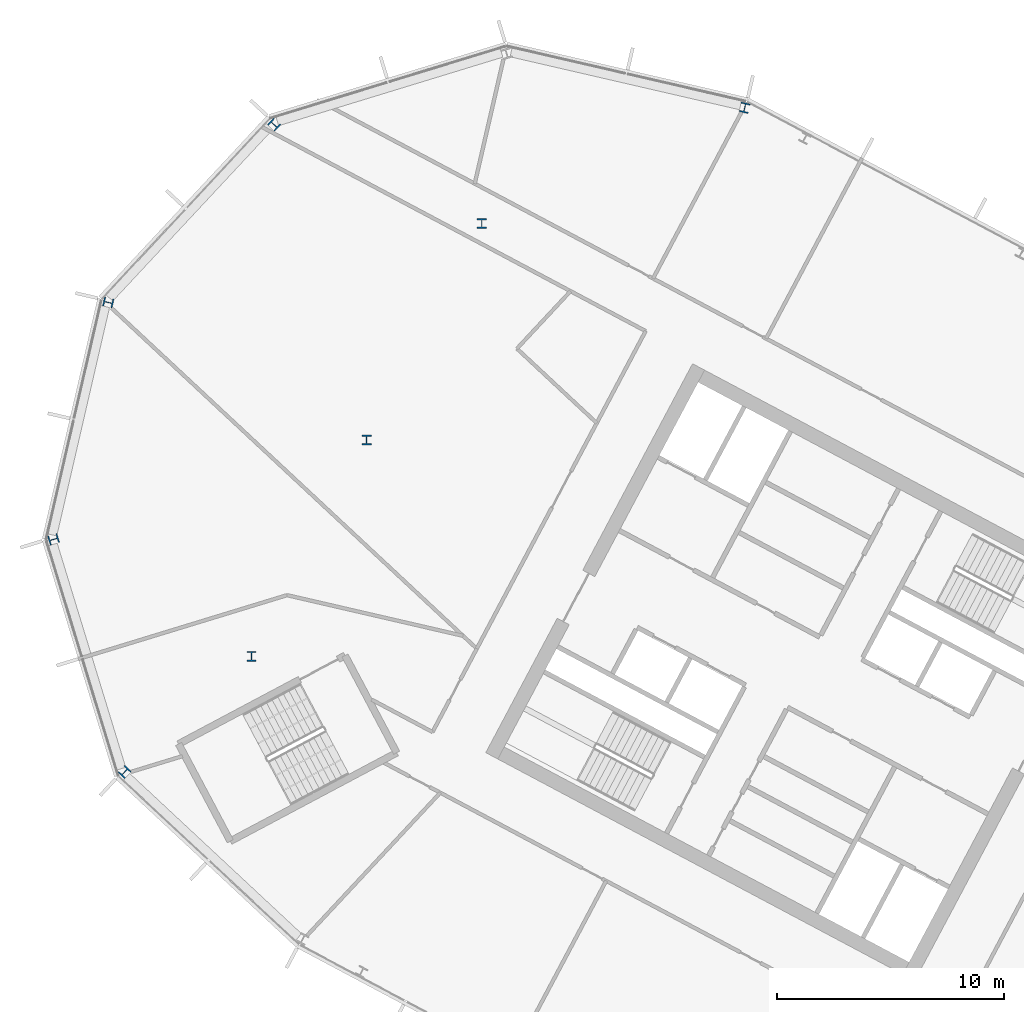
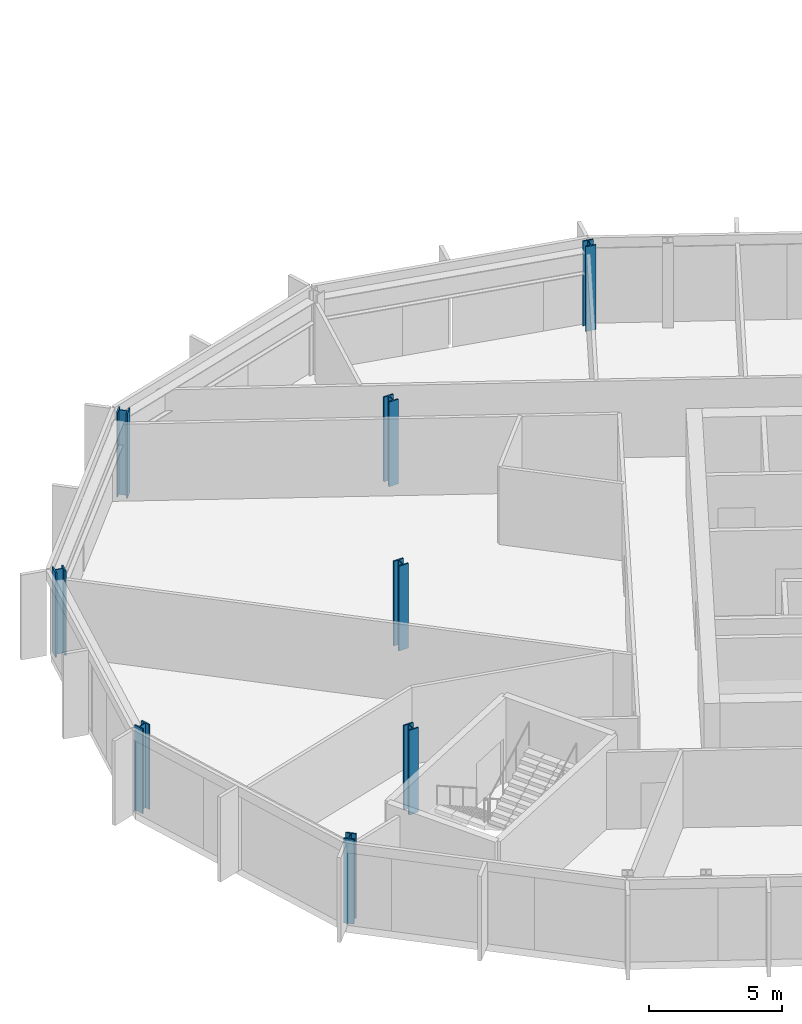
# One storey, part 3 of 26: 8 columns.
"""IFC4 building model written with IfcOpenShell, lengths in metres."""

from ifc_helpers import new_model, si_unit, direction, frame, origin, origin_2d, place, context, subcontext, project, spatial, i_section, extrude, material, material_profile, profile_set, type_object, element, save


model = new_model("IFC4")

# Units and contexts
model_context = context("Model", 3, precision=1e-05, world=origin(), true_north=direction((0.0, 1.0)))
body_context = subcontext(model_context, "Body", "Model", "MODEL_VIEW")
ifc_project = project(units=[si_unit("LENGTHUNIT", "METRE"), si_unit("AREAUNIT", "SQUARE_METRE"), si_unit("VOLUMEUNIT", "CUBIC_METRE"), si_unit("PLANEANGLEUNIT", "RADIAN"), si_unit("MASSUNIT", "GRAM", prefix="KILO")], contexts=[model_context])

# Site, building, storey
site_placement = place(None, origin())
site = spatial("IfcSite", under=ifc_project, at=site_placement, CompositionType="ELEMENT")
building_placement = place(site_placement, origin())
building = spatial("IfcBuilding", under=site, at=building_placement, Name="Cormorant Relay Tower", CompositionType="ELEMENT")
storey_placement = place(building_placement, frame((0.0, 0.0, 228.60009765625)))
storey = spatial("IfcBuildingStorey", under=building, at=storey_placement, Name="L50", CompositionType="ELEMENT", Elevation=228.60009765625)

# Columns
ifc_material = material(Name="Steel ASTM A992 (Fy 345 MPa)", Category="steel")
ifc_material_profile = material_profile(ifc_material, i_section(OverallWidth=0.41162109375, OverallDepth=0.434326171875, WebThickness=0.035888671875, FlangeThickness=0.057373046875, FilletRadius=0.01513671875, at=origin_2d()), Name="W360x463")
ifc_profile_set = profile_set([ifc_material_profile], Name="Steel ASTM A992 (Fy 345 MPa)")
column_type = type_object("IfcColumnType", Name="Column W360x463", PredefinedType="COLUMN", material=ifc_profile_set)
for number, where, z_axis, x_axis, name in (
    (1, (-57.279052734375, 10.162109375, 0.0), (0.0, 0.0, 1.0), (0.731353701619, -0.681998360062, 0.0), "Column L50-022"),
    (2, (-51.68994140625, 15.251953125, 0.0), (0.0, 0.0, 1.0), (1.0, 0.0, 0.0), "Column L50-027"),
    (3, (-60.409912109375, 20.404052734375, 0.0), (0.0, 0.0, 1.0), (0.292371704723, -0.956304755963, 0.0), "Column L50-028"),
    (4, (-46.6201171875, 24.7880859375, 0.0), (0.0, 0.0, 1.0), (1.0, 0.0, 0.0), "Column L50-031"),
    (5, (-58.0009765625, 30.840087890625, 0.0), (0.0, 0.0, 1.0), (-0.224951054344, -0.974370064785, 0.0), "Column L50-034"),
    (6, (-41.549072265625, 34.323974609375, 0.0), (0.0, 0.0, 1.0), (1.0, 0.0, 0.0), "Column L50-038"),
    (7, (-50.697021484375, 38.672119140625, 0.0), (0.0, 0.0, 1.0), (-0.681998360062, -0.731353701619, 0.0), "Column L50-042"),
    (8, (-29.968017578125, 39.4150390625, 0.0), (0.0, 0.0, 1.0), (-0.974370064785, 0.224951054344, 0.0), "Column L50-044"),
):
    element("IfcColumn", number, at=place(storey_placement, frame(where, z_axis=z_axis, x_axis=x_axis)), inside=storey, type_object=column_type, Name=name, PredefinedType="COLUMN", context=body_context, shape_type="SweptSolid", body=[
        extrude(i_section(OverallWidth=0.41162109375, OverallDepth=0.434326171875, WebThickness=0.035888671875, FlangeThickness=0.057373046875, FilletRadius=0.01513671875, at=origin_2d()), origin(), (0.0, 0.0, 1.0), 3.89990234375),
    ])

save(model, "model.ifc")
